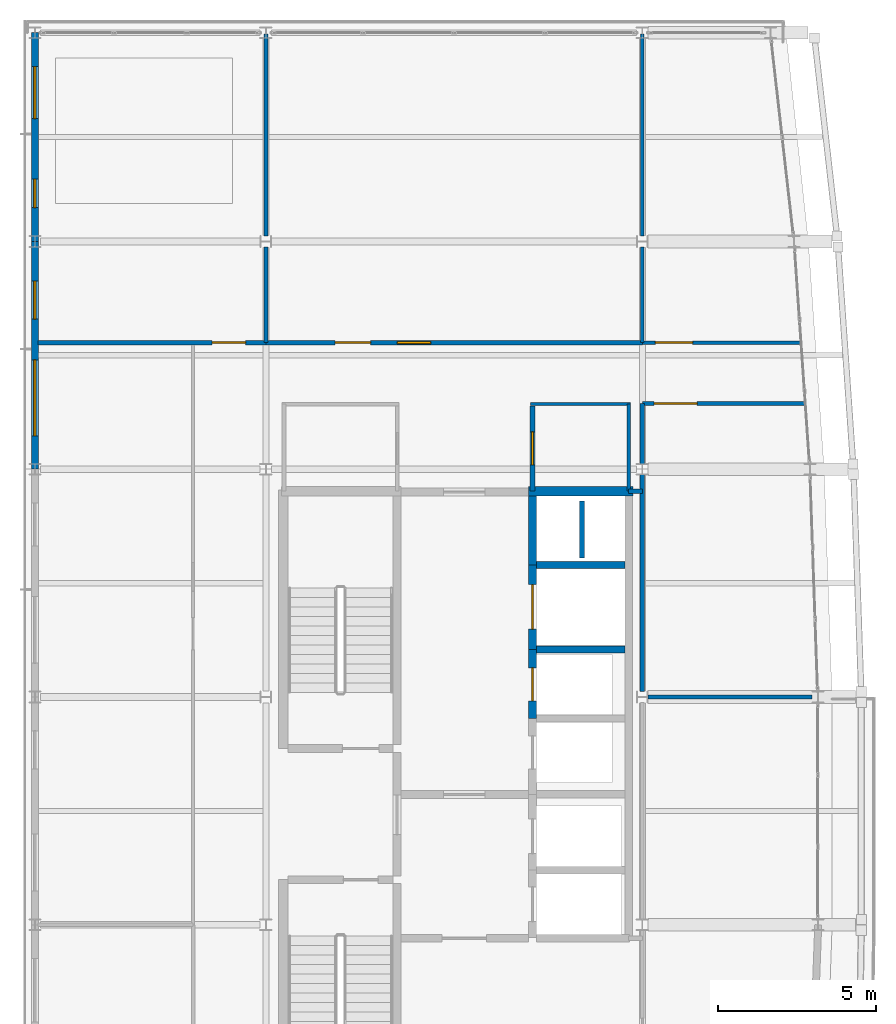
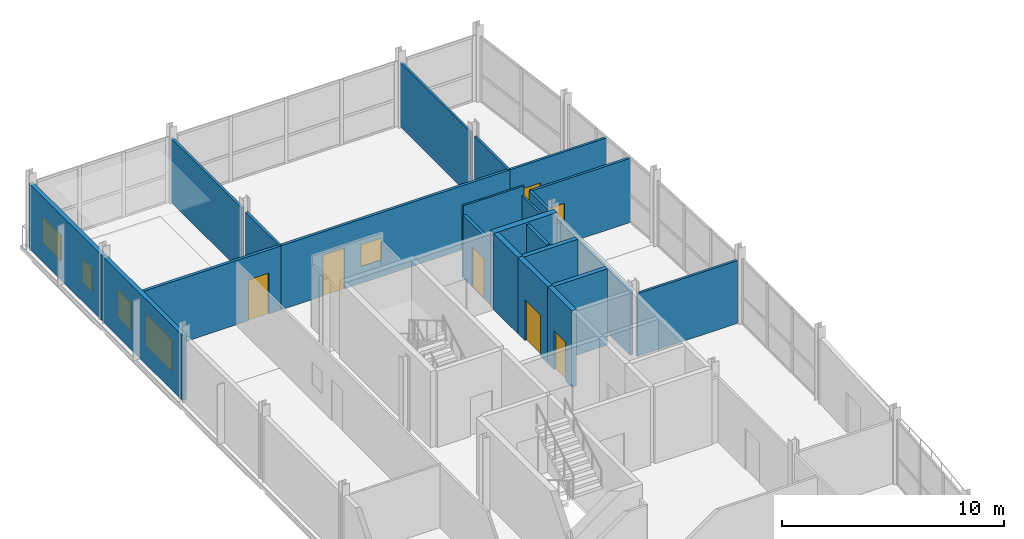
# One storey, part 13 of 17: 24 walls, 7 doors, 5 windows, 12 openings.
"""IFC4 building model written with IfcOpenShell, lengths in metres."""

from ifc_helpers import new_model, si_unit, direction, frame, frame_2d, origin, place, context, subcontext, project, spatial, rectangle, extrude, material, layer, layer_set, type_object, element, fill, save


model = new_model("IFC4")

# Units and contexts
model_context = context("Model", 3, precision=1e-05, world=origin(), true_north=direction((0.0, 1.0)))
body_context = subcontext(model_context, "Body", "Model", "MODEL_VIEW")
ifc_project = project(units=[si_unit("LENGTHUNIT", "METRE"), si_unit("AREAUNIT", "SQUARE_METRE"), si_unit("VOLUMEUNIT", "CUBIC_METRE"), si_unit("PLANEANGLEUNIT", "RADIAN"), si_unit("MASSUNIT", "GRAM", prefix="KILO")], contexts=[model_context])

# Site, building, storey
site_placement = place(None, origin())
site = spatial("IfcSite", under=ifc_project, at=site_placement, CompositionType="ELEMENT")
building_placement = place(site_placement, origin())
building = spatial("IfcBuilding", under=site, at=building_placement, Name="Quillay Park Conservatory", CompositionType="ELEMENT")
storey_placement = place(building_placement, frame((0.0, 0.0, 47.699951171875)))
storey = spatial("IfcBuildingStorey", under=building, at=storey_placement, Name="L11", CompositionType="ELEMENT", Elevation=47.699951171875)

# Walls
ifc_material_1 = material(Name="Steel-Stud Acoustic Gypsum Board Partition", Category="steel")
ifc_layer_1 = layer(ifc_material_1, 0.10009765625)
ifc_layer_set_1 = layer_set([ifc_layer_1], Name="ACOUSTIC GYPSUM PARTITION 100 (Steel-Stud Acoustic Gypsum Board Partition)")
wall_type_1 = type_object("IfcWallType", Name="ACOUSTIC GYPSUM PARTITION 100", PredefinedType="PARTITIONING", material=ifc_layer_set_1)
wall_1_placement = place(storey_placement, frame((19.3798828125, 101.659912109375, 0.0), z_axis=(0.0, 0.0, 1.0), x_axis=(-1.0, 0.0, 0.0)))
element("IfcWall", 1, at=wall_1_placement, inside=storey, type_object=wall_type_1, Name="L11 Washroom North Wall", PredefinedType="PARTITIONING", context=body_context, shape_type="SweptSolid", body=[
    extrude(rectangle(XDim=3.159912109375, YDim=0.10009765625, at=frame_2d((1.580078125, 0.0))), origin(), (0.0, 0.0, 1.0), 3.949951171875),
])
ifc_material_2 = material(Name="Steel-Stud Acoustic Gypsum Board Partition", Category="steel")
ifc_layer_2 = layer(ifc_material_2, 0.10498046875)
ifc_layer_set_2 = layer_set([ifc_layer_2], Name="ACOUSTIC GYPSUM PARTITION 105 (Steel-Stud Acoustic Gypsum Board Partition)")
wall_type_2 = type_object("IfcWallType", Name="ACOUSTIC GYPSUM PARTITION 105", PredefinedType="PARTITIONING", material=ifc_layer_set_2)
wall_2_placement = place(storey_placement, frame((19.320068359375, 98.919921875, 0.0), z_axis=(0.0, 0.0, 1.0), x_axis=(0.0, 1.0, 0.0)))
element("IfcWall", 2, at=wall_2_placement, inside=storey, type_object=wall_type_2, Name="L11 Washroom East Wall", PredefinedType="PARTITIONING", context=body_context, shape_type="SweptSolid", body=[
    extrude(rectangle(XDim=2.739990234375, YDim=0.10498046875, at=frame_2d((1.3701171875, 0.0))), origin(), (0.0, 0.0, 1.0), 3.450927734375),
])
ifc_material_3 = material(Name="Steel-Stud Acoustic Gypsum Board Partition", Category="steel")
ifc_layer_3 = layer(ifc_material_3, 0.110107421875)
ifc_layer_set_3 = layer_set([ifc_layer_3], Name="ACOUSTIC GYPSUM PARTITION 110 (Steel-Stud Acoustic Gypsum Board Partition)")
wall_type_3 = type_object("IfcWallType", Name="ACOUSTIC GYPSUM PARTITION 110", PredefinedType="PARTITIONING", material=ifc_layer_set_3)
wall_3_placement = place(storey_placement, frame((19.75, 113.35009765625, 0.0), z_axis=(0.0, 0.0, 1.0), x_axis=(0.0, -1.0, 0.0)))
element("IfcWall", 3, at=wall_3_placement, inside=storey, type_object=wall_type_3, Name="L11 North Divider 19 N", PredefinedType="PARTITIONING", context=body_context, shape_type="SweptSolid", body=[
    extrude(rectangle(XDim=6.37060546875, YDim=0.110107421875, at=frame_2d((3.185302734375, 0.0))), origin(), (0.0, 0.0, 1.0), 3.527099609375),
])
ifc_material_4 = material(Name="Steel-Stud Acoustic Gypsum Board Partition", Category="steel")
ifc_layer_4 = layer(ifc_material_4, 0.114990234375)
ifc_layer_set_4 = layer_set([ifc_layer_4], Name="ACOUSTIC GYPSUM PARTITION 115 (Steel-Stud Acoustic Gypsum Board Partition)")
wall_type_4 = type_object("IfcWallType", Name="ACOUSTIC GYPSUM PARTITION 115", PredefinedType="PARTITIONING", material=ifc_layer_set_4)
wall_4_placement = place(storey_placement, frame((19.75, 106.62060546875, 0.0), z_axis=(0.0, 0.0, 1.0), x_axis=(0.0, -1.0, 0.0)))
element("IfcWall", 4, at=wall_4_placement, inside=storey, type_object=wall_type_4, Name="L11 North Divider 19 S", PredefinedType="PARTITIONING", context=body_context, shape_type="SweptSolid", body=[
    extrude(rectangle(XDim=3.0205078125, YDim=0.114990234375, at=frame_2d((1.51025390625, 0.0))), origin(), (0.0, 0.0, 1.0), 3.527099609375),
])

# Wall, opening, door
ifc_material_5 = material(Name="Steel-Stud Acoustic Gypsum Board Partition", Category="steel")
ifc_layer_5 = layer(ifc_material_5, 0.1201171875)
ifc_layer_set_5 = layer_set([ifc_layer_5], Name="ACOUSTIC GYPSUM PARTITION 120 (Steel-Stud Acoustic Gypsum Board Partition)")
wall_type_5 = type_object("IfcWallType", Name="ACOUSTIC GYPSUM PARTITION 120", PredefinedType="PARTITIONING", material=ifc_layer_set_5)
wall_5_placement = place(storey_placement, frame((19.75, 103.60009765625, 0.0), z_axis=(0.0, 0.0, 1.0), x_axis=(1.0, 0.0, 0.0)))
wall_5 = element("IfcWall", 5, at=wall_5_placement, inside=storey, type_object=wall_type_5, Name="L11 Stable Isotope Biogeochemistry Laboratory South Wall", PredefinedType="PARTITIONING", context=body_context, shape_type="SweptSolid", body=[
    extrude(rectangle(XDim=5.0400390625, YDim=0.1201171875, at=frame_2d((2.52001953125, 0.0))), origin(), (0.0, 0.0, 1.0), 3.527099609375),
])
opening_1_placement = place(wall_5_placement, frame((0.409912109375, 0.0, 0.0)))
opening_1 = element("IfcOpeningElement", 6, at=opening_1_placement, cuts=wall_5, Name="Opening D-RM22", PredefinedType="OPENING", context=body_context, shape_type="SweptSolid", body=[
    extrude(rectangle(XDim=1.179931640625, YDim=2.25, at=frame_2d((0.58984375, 1.125))), frame((0.0, 0.06005859375, 0.0), z_axis=(0.0, -1.0, 0.0), x_axis=(1.0, 0.0, 0.0)), (0.0, 0.0, 1.0), 0.1201171875),
])
ifc_material_6 = material(Name="Thermally Broken Anodised Aluminium 6063-T6", Category="aluminium")
door_type_1 = type_object("IfcDoorType", Name="SINGLE SWING DOOR 1180 X2250", OperationType="NOTDEFINED", PredefinedType="DOOR", material=ifc_material_6)
door_1_placement = place(opening_1_placement, origin())
door_1 = element("IfcDoor", 7, at=door_1_placement, inside=storey, type_object=door_type_1, Name="L11 Door to Stable Isotope Biogeochemistry Laboratory", OperationType="SINGLE_SWING_RIGHT", OverallHeight=2.25, OverallWidth=1.179931640625, PredefinedType="DOOR", context=body_context, shape_type="SweptSolid", body=[
    extrude(rectangle(XDim=1.179931640625, YDim=2.25, at=frame_2d((0.58984375, 1.125))), frame((0.0, 0.02490234375, 0.0), z_axis=(0.0, -1.0, 0.0), x_axis=(1.0, 0.0, 0.0)), (0.0, 0.0, 1.0), 0.050048828125),
])
fill(opening_1, door_1)

# Walls
ifc_material_7 = material(Name="Steel-Stud Acoustic Gypsum Board Partition", Category="steel")
ifc_layer_6 = layer(ifc_material_7, 0.125)
ifc_layer_set_6 = layer_set([ifc_layer_6], Name="ACOUSTIC GYPSUM PARTITION 125 (Steel-Stud Acoustic Gypsum Board Partition)")
wall_type_6 = type_object("IfcWallType", Name="ACOUSTIC GYPSUM PARTITION 125", PredefinedType="PARTITIONING", material=ifc_layer_set_6)
wall_6_placement = place(storey_placement, frame((7.85009765625, 113.35009765625, 0.0), z_axis=(0.0, 0.0, 1.0), x_axis=(0.0, -1.0, 0.0)))
element("IfcWall", 8, at=wall_6_placement, inside=storey, type_object=wall_type_6, Name="L11 North Divider 7 N", PredefinedType="PARTITIONING", context=body_context, shape_type="SweptSolid", body=[
    extrude(rectangle(XDim=6.37060546875, YDim=0.125, at=frame_2d((3.185302734375, 0.0))), origin(), (0.0, 0.0, 1.0), 3.527099609375),
])
wall_7_placement = place(storey_placement, frame((25.12060546875, 92.39990234375, 0.0), z_axis=(0.0, 0.0, 1.0), x_axis=(-1.0, 0.0, 0.0)))
element("IfcWall", 9, at=wall_7_placement, inside=storey, type_object=wall_type_6, Name="L11 East Divider 92", PredefinedType="PARTITIONING", context=body_context, shape_type="SweptSolid", body=[
    extrude(rectangle(XDim=5.197509765625, YDim=0.125, at=frame_2d((2.5986328125, 0.0))), origin(), (0.0, 0.0, 1.0), 3.450927734375),
])
ifc_material_8 = material(Name="Steel-Stud Acoustic Gypsum Board Partition", Category="steel")
ifc_layer_7 = layer(ifc_material_8, 0.1298828125)
ifc_layer_set_7 = layer_set([ifc_layer_7], Name="ACOUSTIC GYPSUM PARTITION 130 (Steel-Stud Acoustic Gypsum Board Partition)")
wall_type_7 = type_object("IfcWallType", Name="ACOUSTIC GYPSUM PARTITION 130", PredefinedType="PARTITIONING", material=ifc_layer_set_7)
wall_8_placement = place(storey_placement, frame((7.85009765625, 106.62060546875, 0.0), z_axis=(0.0, 0.0, 1.0), x_axis=(0.0, -1.0, 0.0)))
element("IfcWall", 10, at=wall_8_placement, inside=storey, type_object=wall_type_7, Name="L11 North Divider 7 S", PredefinedType="PARTITIONING", context=body_context, shape_type="SweptSolid", body=[
    extrude(rectangle(XDim=3.0205078125, YDim=0.1298828125, at=frame_2d((1.51025390625, 0.0))), origin(), (0.0, 0.0, 1.0), 3.527099609375),
])

# Wall, opening, door
wall_9_placement = place(storey_placement, frame((19.75, 101.679931640625, 0.0), z_axis=(0.0, 0.0, 1.0), x_axis=(1.0, 0.0, 0.0)))
wall_9 = element("IfcWall", 11, at=wall_9_placement, inside=storey, type_object=wall_type_7, Name="L11 Pollination Ecology Curatorial Studio North Door Wall", PredefinedType="PARTITIONING", context=body_context, shape_type="SweptSolid", body=[
    extrude(rectangle(XDim=5.1650390625, YDim=0.1298828125, at=frame_2d((2.58251953125, 0.0))), origin(), (0.0, 0.0, 1.0), 3.527099609375),
])
opening_2_placement = place(wall_9_placement, frame((0.3701171875, 0.0, 0.0)))
opening_2 = element("IfcOpeningElement", 12, at=opening_2_placement, cuts=wall_9, Name="Opening D-RM24", PredefinedType="OPENING", context=body_context, shape_type="SweptSolid", body=[
    extrude(rectangle(XDim=1.360107421875, YDim=2.25, at=frame_2d((0.68017578125, 1.125))), frame((0.0, 0.06494140625, 0.0), z_axis=(0.0, -1.0, 0.0), x_axis=(1.0, 0.0, 0.0)), (0.0, 0.0, 1.0), 0.1298828125),
])
ifc_material_9 = material(Name="Thermally Broken Anodised Aluminium 6063-T6", Category="aluminium")
door_type_2 = type_object("IfcDoorType", Name="SINGLE SWING DOOR 1360 X2250", OperationType="NOTDEFINED", PredefinedType="DOOR", material=ifc_material_9)
door_2_placement = place(opening_2_placement, origin())
door_2 = element("IfcDoor", 13, at=door_2_placement, inside=storey, type_object=door_type_2, Name="L11 Door to Pollination Ecology Curatorial Studio", OperationType="SINGLE_SWING_RIGHT", OverallHeight=2.25, OverallWidth=1.360107421875, PredefinedType="DOOR", context=body_context, shape_type="SweptSolid", body=[
    extrude(rectangle(XDim=1.360107421875, YDim=2.25, at=frame_2d((0.68017578125, 1.125))), frame((0.0, 0.02490234375, 0.0), z_axis=(0.0, -1.0, 0.0), x_axis=(1.0, 0.0, 0.0)), (0.0, 0.0, 1.0), 0.050048828125),
])
fill(opening_2, door_2)

# Wall
ifc_material_10 = material(Name="Steel-Stud Acoustic Gypsum Board Partition", Category="steel")
ifc_layer_8 = layer(ifc_material_10, 0.139892578125)
ifc_layer_set_8 = layer_set([ifc_layer_8], Name="ACOUSTIC GYPSUM PARTITION 140 (Steel-Stud Acoustic Gypsum Board Partition)")
wall_type_8 = type_object("IfcWallType", Name="ACOUSTIC GYPSUM PARTITION 140", PredefinedType="PARTITIONING", material=ifc_layer_set_8)
wall_10_placement = place(storey_placement, frame((19.75, 98.89990234375, 0.0), z_axis=(0.0, 0.0, 1.0), x_axis=(-1.0, 0.0, 0.0)))
element("IfcWall", 14, at=wall_10_placement, inside=storey, type_object=wall_type_8, Name="L11 Core North-East Closure", PredefinedType="PARTITIONING", context=body_context, shape_type="SweptSolid", body=[
    extrude(rectangle(XDim=0.429931640625, YDim=0.139892578125, at=frame_2d((0.21484375, 0.0))), origin(), (0.0, 0.0, 1.0), 3.527099609375),
])

# Wall, openings, window, door
wall_11_placement = place(storey_placement, frame((7.85009765625, 103.60009765625, 0.0), z_axis=(0.0, 0.0, 1.0), x_axis=(1.0, 0.0, 0.0)))
wall_11 = element("IfcWall", 15, at=wall_11_placement, inside=storey, type_object=wall_type_8, Name="L11 Mediterranean Drought Ecology Research Laboratory South Wall", PredefinedType="PARTITIONING", context=body_context, shape_type="SweptSolid", body=[
    extrude(rectangle(XDim=11.89990234375, YDim=0.139892578125, at=frame_2d((5.949951171875, 0.0))), origin(), (0.0, 0.0, 1.0), 3.527099609375),
])
opening_3_placement = place(wall_11_placement, frame((2.18994140625, 0.0, 0.0)))
opening_3 = element("IfcOpeningElement", 16, at=opening_3_placement, cuts=wall_11, Name="Opening D-RM21", PredefinedType="OPENING", context=body_context, shape_type="SweptSolid", body=[
    extrude(rectangle(XDim=1.1201171875, YDim=2.25, at=frame_2d((0.56005859375, 1.125))), frame((0.0, 0.06982421875, 0.0), z_axis=(0.0, -1.0, 0.0), x_axis=(1.0, 0.0, 0.0)), (0.0, 0.0, 1.0), 0.139892578125),
])
opening_4_placement = place(wall_11_placement, frame((4.159912109375, 0.0, 0.919921875)))
opening_4 = element("IfcOpeningElement", 17, at=opening_4_placement, cuts=wall_11, Name="Opening W-IN06", PredefinedType="OPENING", context=body_context, shape_type="SweptSolid", body=[
    extrude(rectangle(XDim=1.050048828125, YDim=1.199951171875, at=frame_2d((0.52490234375, 0.60009765625))), frame((0.0, 0.06982421875, 0.0), z_axis=(0.0, -1.0, 0.0), x_axis=(1.0, 0.0, 0.0)), (0.0, 0.0, 1.0), 0.139892578125),
])
ifc_material_11 = material(Name="Low-E Double Glazing (Laminated Tempered)", Category="glass")
window_type_1 = type_object("IfcWindowType", Name="OPERABLE VENT WINDOW 1050 X1200", PartitioningType="SINGLE_PANEL", PredefinedType="WINDOW", material=ifc_material_11)
window_1_placement = place(opening_4_placement, origin())
window_1 = element("IfcWindow", 18, at=window_1_placement, inside=storey, type_object=window_type_1, Name="L11 Laboratory Vision Panel 042", OverallHeight=1.199951171875, OverallWidth=1.050048828125, PartitioningType="SINGLE_PANEL", PredefinedType="WINDOW", context=body_context, shape_type="SweptSolid", body=[
    extrude(rectangle(XDim=1.050048828125, YDim=1.199951171875, at=frame_2d((0.52490234375, 0.60009765625))), frame((0.0, 0.030029296875, 0.0), z_axis=(0.0, -1.0, 0.0), x_axis=(1.0, 0.0, 0.0)), (0.0, 0.0, 1.0), 0.06005859375),
])
fill(opening_4, window_1)
ifc_material_12 = material(Name="Thermally Broken Anodised Aluminium 6063-T6", Category="aluminium")
door_type_3 = type_object("IfcDoorType", Name="SINGLE SWING DOOR 1120 X2250", OperationType="NOTDEFINED", PredefinedType="DOOR", material=ifc_material_12)
door_3_placement = place(opening_3_placement, origin())
door_3 = element("IfcDoor", 19, at=door_3_placement, inside=storey, type_object=door_type_3, Name="L11 Door to Mediterranean Drought Ecology Research Laboratory", OperationType="SINGLE_SWING_LEFT", OverallHeight=2.25, OverallWidth=1.1201171875, PredefinedType="DOOR", context=body_context, shape_type="SweptSolid", body=[
    extrude(rectangle(XDim=1.1201171875, YDim=2.25, at=frame_2d((0.56005859375, 1.125))), frame((0.0, 0.02490234375, 0.0), z_axis=(0.0, -1.0, 0.0), x_axis=(1.0, 0.0, 0.0)), (0.0, 0.0, 1.0), 0.050048828125),
])
fill(opening_3, door_3)

# Wall
wall_12_placement = place(storey_placement, frame((19.75, 99.77294921875, 0.0), z_axis=(0.0, 0.0, 1.0), x_axis=(0.0, 1.0, 0.0)))
element("IfcWall", 20, at=wall_12_placement, inside=storey, type_object=wall_type_8, Name="L11 Pollination Ecology Curatorial Studio West Wall 2", PredefinedType="PARTITIONING", context=body_context, shape_type="SweptSolid", body=[
    extrude(rectangle(XDim=1.906982421875, YDim=0.139892578125, at=frame_2d((0.95361328125, 0.0))), origin(), (0.0, 0.0, 1.0), 3.527099609375),
])

# Wall, opening, door
ifc_material_13 = material(Name="Steel-Stud Acoustic Gypsum Board Partition", Category="steel")
ifc_layer_9 = layer(ifc_material_13, 0.14990234375)
ifc_layer_set_9 = layer_set([ifc_layer_9], Name="ACOUSTIC GYPSUM PARTITION 150 (Steel-Stud Acoustic Gypsum Board Partition)")
wall_type_9 = type_object("IfcWallType", Name="ACOUSTIC GYPSUM PARTITION 150", PredefinedType="PARTITIONING", material=ifc_layer_set_9)
wall_13_placement = place(storey_placement, frame((16.280029296875, 98.919921875, 0.0), z_axis=(0.0, 0.0, 1.0), x_axis=(0.0, 1.0, 0.0)))
wall_13 = element("IfcWall", 21, at=wall_13_placement, inside=storey, type_object=wall_type_9, Name="L11 Washroom Door Wall", PredefinedType="PARTITIONING", context=body_context, shape_type="SweptSolid", body=[
    extrude(rectangle(XDim=2.68017578125, YDim=0.14990234375, at=frame_2d((1.340087890625, 0.0))), origin(), (0.0, 0.0, 1.0), 3.450927734375),
])
opening_5_placement = place(wall_13_placement, frame((0.81494140625, 0.0, 0.0)))
opening_5 = element("IfcOpeningElement", 22, at=opening_5_placement, cuts=wall_13, Name="Opening D-RM15", PredefinedType="OPENING", context=body_context, shape_type="SweptSolid", body=[
    extrude(rectangle(XDim=1.050048828125, YDim=2.199951171875, at=frame_2d((0.52490234375, 1.10009765625))), frame((0.0, 0.074951171875, 0.0), z_axis=(0.0, -1.0, 0.0), x_axis=(1.0, 0.0, 0.0)), (0.0, 0.0, 1.0), 0.14990234375),
])
ifc_material_14 = material(Name="Thermally Broken Anodised Aluminium 6063-T6", Category="aluminium")
door_type_4 = type_object("IfcDoorType", Name="SINGLE SWING DOOR 1050 X2200", OperationType="NOTDEFINED", PredefinedType="DOOR", material=ifc_material_14)
door_4_placement = place(opening_5_placement, origin())
door_4 = element("IfcDoor", 23, at=door_4_placement, inside=storey, type_object=door_type_4, Name="L11 Door to L11 Restroom and Washroom", OperationType="SINGLE_SWING_RIGHT", OverallHeight=2.199951171875, OverallWidth=1.050048828125, PredefinedType="DOOR", context=body_context, shape_type="SweptSolid", body=[
    extrude(rectangle(XDim=1.050048828125, YDim=2.199951171875, at=frame_2d((0.52490234375, 1.10009765625))), frame((0.0, 0.02490234375, 0.0), z_axis=(0.0, -1.0, 0.0), x_axis=(1.0, 0.0, 0.0)), (0.0, 0.0, 1.0), 0.050048828125),
])
fill(opening_5, door_4)

wall_14_placement = place(storey_placement, frame((0.64990234375, 103.60009765625, 0.0), z_axis=(0.0, 0.0, 1.0), x_axis=(1.0, 0.0, 0.0)))
wall_14 = element("IfcWall", 24, at=wall_14_placement, inside=storey, type_object=wall_type_9, Name="L11 Xeric Stomatal Conductance Laboratory South Wall", PredefinedType="PARTITIONING", context=body_context, shape_type="SweptSolid", body=[
    extrude(rectangle(XDim=7.2001953125, YDim=0.14990234375, at=frame_2d((3.60009765625, 0.0))), origin(), (0.0, 0.0, 1.0), 3.527099609375),
])
opening_6_placement = place(wall_14_placement, frame((5.5, 0.0, 0.0)))
opening_6 = element("IfcOpeningElement", 25, at=opening_6_placement, cuts=wall_14, Name="Opening D-RM20", PredefinedType="OPENING", context=body_context, shape_type="SweptSolid", body=[
    extrude(rectangle(XDim=1.06005859375, YDim=2.25, at=frame_2d((0.530029296875, 1.125))), frame((0.0, 0.074951171875, 0.0), z_axis=(0.0, -1.0, 0.0), x_axis=(1.0, 0.0, 0.0)), (0.0, 0.0, 1.0), 0.14990234375),
])
ifc_material_15 = material(Name="Thermally Broken Anodised Aluminium 6063-T6", Category="aluminium")
door_type_5 = type_object("IfcDoorType", Name="SINGLE SWING DOOR 1060 X2250", OperationType="NOTDEFINED", PredefinedType="DOOR", material=ifc_material_15)
door_5_placement = place(opening_6_placement, origin())
door_5 = element("IfcDoor", 26, at=door_5_placement, inside=storey, type_object=door_type_5, Name="L11 Door to Xeric Stomatal Conductance Laboratory", OperationType="SINGLE_SWING_RIGHT", OverallHeight=2.25, OverallWidth=1.06005859375, PredefinedType="DOOR", context=body_context, shape_type="SweptSolid", body=[
    extrude(rectangle(XDim=1.06005859375, YDim=2.25, at=frame_2d((0.530029296875, 1.125))), frame((0.0, 0.02490234375, 0.0), z_axis=(0.0, -1.0, 0.0), x_axis=(1.0, 0.0, 0.0)), (0.0, 0.0, 1.0), 0.050048828125),
])
fill(opening_6, door_5)

# Walls
wall_15_placement = place(storey_placement, frame((19.75, 92.57958984375, 0.0), z_axis=(0.0, 0.0, 1.0), x_axis=(0.0, 1.0, 0.0)))
element("IfcWall", 27, at=wall_15_placement, inside=storey, type_object=wall_type_9, Name="L11 Pollination Ecology Curatorial Studio West Wall 1", PredefinedType="PARTITIONING", context=body_context, shape_type="SweptSolid", body=[
    extrude(rectangle(XDim=6.847412109375, YDim=0.14990234375, at=frame_2d((3.423828125, 0.0))), origin(), (0.0, 0.0, 1.0), 3.527099609375),
])
ifc_material_16 = material(Name="Concrete C35/45 (NCh170 Concrete C35/45)", Category="concrete")
ifc_layer_10 = layer(ifc_material_16, 0.22509765625)
ifc_layer_set_10 = layer_set([ifc_layer_10], Name="CORE SHEAR WALL 225 (Concrete C35/45 (NCh170 Concrete C35/45))")
wall_type_10 = type_object("IfcWallType", Name="CORE SHEAR WALL 225", PredefinedType="SHEAR", material=ifc_layer_set_10)
for number, where, z_axis, x_axis, name in (
    (28, (16.39990234375, 93.89990234375, 0.0), (0.0, 0.0, 1.0), (1.0, 0.0, 0.0), "L11 Core Shear Wall WL-LFDIV-L11-939"),
    (29, (16.39990234375, 96.574951171875, 0.0), (0.0, 0.0, 1.0), (1.0, 0.0, 0.0), "L11 Core Shear Wall WL-LFDIV-L11-965"),
):
    element("IfcWall", number, at=place(storey_placement, frame(where, z_axis=z_axis, x_axis=x_axis)), inside=storey, type_object=wall_type_10, Name=name, PredefinedType="SHEAR", context=body_context, shape_type="SweptSolid", body=[
        extrude(rectangle(XDim=2.800048828125, YDim=0.22509765625, at=frame_2d((1.39990234375, 0.0))), origin(), (0.0, 0.0, 1.0), 4.199951171875),
    ])

# Wall, opening, door
ifc_material_17 = material(Name="Concrete C40/50 (NCh170 Concrete C40/50)", Category="concrete")
ifc_layer_11 = layer(ifc_material_17, 0.25)
ifc_layer_set_11 = layer_set([ifc_layer_11], Name="CORE SHEAR WALL 250 (Concrete C40/50 (NCh170 Concrete C40/50))")
wall_type_11 = type_object("IfcWallType", Name="CORE SHEAR WALL 250", PredefinedType="SHEAR", material=ifc_layer_set_11)
wall_16_placement = place(storey_placement, frame((16.27490234375, 91.72509765625, 0.0), z_axis=(0.0, 0.0, 1.0), x_axis=(0.0, 1.0, 0.0)))
wall_16 = element("IfcWall", 30, at=wall_16_placement, inside=storey, type_object=wall_type_11, Name="L11 Core Shear Wall WL-LFFR-L11-LF-P2", PredefinedType="SHEAR", context=body_context, shape_type="SweptSolid", body=[
    extrude(rectangle(XDim=2.1748046875, YDim=0.25, at=frame_2d((1.08740234375, 0.0))), origin(), (0.0, 0.0, 1.0), 4.199951171875),
])
opening_7_placement = place(wall_16_placement, frame((0.550048828125, 0.0, 0.0)))
opening_7 = element("IfcOpeningElement", 31, at=opening_7_placement, cuts=wall_16, Name="Opening LD02", PredefinedType="OPENING", context=body_context, shape_type="SweptSolid", body=[
    extrude(rectangle(XDim=1.050048828125, YDim=2.14990234375, at=frame_2d((0.52490234375, 1.074951171875))), frame((0.0, 0.125, 0.0), z_axis=(0.0, -1.0, 0.0), x_axis=(1.0, 0.0, 0.0)), (0.0, 0.0, 1.0), 0.25),
])
ifc_material_18 = material(Name="Steel ASTM A572 Grade 50", Category="steel")
door_type_6 = type_object("IfcDoorType", Name="LIFT LANDING SLIDING DOOR 1050 X2150", OperationType="NOTDEFINED", PredefinedType="DOOR", material=ifc_material_18)
door_6_placement = place(opening_7_placement, origin())
door_6 = element("IfcDoor", 32, at=door_6_placement, inside=storey, type_object=door_type_6, Name="L11 LF-P2 Lift Landing Door LD02", OperationType="SLIDING_TO_LEFT", OverallHeight=2.14990234375, OverallWidth=1.050048828125, PredefinedType="DOOR", context=body_context, shape_type="SweptSolid", body=[
    extrude(rectangle(XDim=1.050048828125, YDim=2.14990234375, at=frame_2d((0.52490234375, 1.074951171875))), frame((0.0, 0.02490234375, 0.0), z_axis=(0.0, -1.0, 0.0), x_axis=(1.0, 0.0, 0.0)), (0.0, 0.0, 1.0), 0.050048828125),
])
fill(opening_7, door_6)

wall_17_placement = place(storey_placement, frame((16.27490234375, 93.89990234375, 0.0), z_axis=(0.0, 0.0, 1.0), x_axis=(0.0, 1.0, 0.0)))
wall_17 = element("IfcWall", 33, at=wall_17_placement, inside=storey, type_object=wall_type_11, Name="L11 Core Shear Wall WL-LFFR-L11-LF-G1", PredefinedType="SHEAR", context=body_context, shape_type="SweptSolid", body=[
    extrude(rectangle(XDim=2.675048828125, YDim=0.25, at=frame_2d((1.33740234375, 0.0))), origin(), (0.0, 0.0, 1.0), 4.199951171875),
])
opening_8_placement = place(wall_17_placement, frame((0.64990234375, 0.0, 0.0)))
opening_8 = element("IfcOpeningElement", 34, at=opening_8_placement, cuts=wall_17, Name="Opening LD03", PredefinedType="OPENING", context=body_context, shape_type="SweptSolid", body=[
    extrude(rectangle(XDim=1.39990234375, YDim=2.25, at=frame_2d((0.699951171875, 1.125))), frame((0.0, 0.125, 0.0), z_axis=(0.0, -1.0, 0.0), x_axis=(1.0, 0.0, 0.0)), (0.0, 0.0, 1.0), 0.25),
])
ifc_material_19 = material(Name="Steel ASTM A572 Grade 50", Category="steel")
door_type_7 = type_object("IfcDoorType", Name="LIFT LANDING SLIDING DOOR 1400 X2250", OperationType="NOTDEFINED", PredefinedType="DOOR", material=ifc_material_19)
door_7_placement = place(opening_8_placement, origin())
door_7 = element("IfcDoor", 35, at=door_7_placement, inside=storey, type_object=door_type_7, Name="L11 LF-G1 Lift Landing Door LD03", OperationType="SLIDING_TO_LEFT", OverallHeight=2.25, OverallWidth=1.39990234375, PredefinedType="DOOR", context=body_context, shape_type="SweptSolid", body=[
    extrude(rectangle(XDim=1.39990234375, YDim=2.25, at=frame_2d((0.699951171875, 1.125))), frame((0.0, 0.02490234375, 0.0), z_axis=(0.0, -1.0, 0.0), x_axis=(1.0, 0.0, 0.0)), (0.0, 0.0, 1.0), 0.050048828125),
])
fill(opening_8, door_7)

# Walls
wall_18_placement = place(storey_placement, frame((16.27490234375, 96.574951171875, 0.0), z_axis=(0.0, 0.0, 1.0), x_axis=(0.0, 1.0, 0.0)))
element("IfcWall", 36, at=wall_18_placement, inside=storey, type_object=wall_type_11, Name="L11 Core Shear Wall WL-MEPR-L11", PredefinedType="SHEAR", context=body_context, shape_type="SweptSolid", body=[
    extrude(rectangle(XDim=2.175048828125, YDim=0.25, at=frame_2d((1.08740234375, 0.0))), origin(), (0.0, 0.0, 1.0), 4.199951171875),
])
ifc_material_20 = material(Name="Concrete C40/50 (NCh170 Concrete C40/50)", Category="concrete")
ifc_layer_12 = layer(ifc_material_20, 0.300048828125)
ifc_layer_set_12 = layer_set([ifc_layer_12], Name="CORE SHEAR WALL 300 (Concrete C40/50 (NCh170 Concrete C40/50))")
wall_type_12 = type_object("IfcWallType", Name="CORE SHEAR WALL 300", PredefinedType="SHEAR", material=ifc_layer_set_12)
wall_19_placement = place(storey_placement, frame((16.14990234375, 98.89990234375, 0.0), z_axis=(0.0, 0.0, 1.0), x_axis=(1.0, 0.0, 0.0)))
element("IfcWall", 37, at=wall_19_placement, inside=storey, type_object=wall_type_12, Name="L11 Core Shear Wall WL-TCN-E-L11", PredefinedType="SHEAR", context=body_context, shape_type="SweptSolid", body=[
    extrude(rectangle(XDim=3.300048828125, YDim=0.300048828125, at=frame_2d((1.64990234375, 0.0))), origin(), (0.0, 0.0, 1.0), 4.199951171875),
])

# Wall, openings, windows
ifc_material_21 = material(Name="Glass-Fibre Reinforced Concrete (GRC) Cladding", Category="concrete")
ifc_layer_13 = layer(ifc_material_21, 0.219970703125)
ifc_layer_set_13 = layer_set([ifc_layer_13], Name="EXTERIOR SOLID WALL 220 (Glass-Fibre Reinforced Concrete (GRC) Cladding)")
wall_type_13 = type_object("IfcWallType", Name="EXTERIOR SOLID WALL 220", PredefinedType="SOLIDWALL", material=ifc_layer_set_13)
wall_20_placement = place(storey_placement, frame((0.550048828125, 99.60009765625, 0.0), z_axis=(0.0, 0.0, 1.0), x_axis=(0.0, 1.0, 0.0)))
wall_20 = element("IfcWall", 38, at=wall_20_placement, inside=storey, type_object=wall_type_13, Name="L11 External Wall WL-EXT-V4W-L11-4", PredefinedType="SOLIDWALL", context=body_context, shape_type="SweptSolid", body=[
    extrude(rectangle(XDim=7.199951171875, YDim=0.219970703125, at=frame_2d((3.60009765625, 0.0))), origin(), (0.0, 0.0, 1.0), 3.5771484375),
])
opening_9_placement = place(wall_20_placement, frame((1.054931640625, 0.0, 0.919921875)))
opening_9 = element("IfcOpeningElement", 39, at=opening_9_placement, cuts=wall_20, Name="Opening W-16", PredefinedType="OPENING", context=body_context, shape_type="SweptSolid", body=[
    extrude(rectangle(XDim=2.39990234375, YDim=1.699951171875, at=frame_2d((1.199951171875, 0.85009765625))), frame((0.0, 0.10986328125, 0.0), z_axis=(0.0, -1.0, 0.0), x_axis=(1.0, 0.0, 0.0)), (0.0, 0.0, 1.0), 0.219970703125),
])
opening_10_placement = place(wall_20_placement, frame((4.7451171875, 0.0, 0.919921875)))
opening_10 = element("IfcOpeningElement", 40, at=opening_10_placement, cuts=wall_20, Name="Opening W-07", PredefinedType="OPENING", context=body_context, shape_type="SweptSolid", body=[
    extrude(rectangle(XDim=1.199951171875, YDim=1.550048828125, at=frame_2d((0.60009765625, 0.77490234375))), frame((0.0, 0.10986328125, 0.0), z_axis=(0.0, -1.0, 0.0), x_axis=(1.0, 0.0, 0.0)), (0.0, 0.0, 1.0), 0.219970703125),
])
ifc_material_22 = material(Name="Low-E Double Glazing (Laminated Tempered)", Category="glass")
window_type_2 = type_object("IfcWindowType", Name="FIXED CASEMENT WINDOW 1200 X1550", PartitioningType="SINGLE_PANEL", PredefinedType="WINDOW", material=ifc_material_22)
window_2_placement = place(opening_10_placement, origin())
window_2 = element("IfcWindow", 41, at=window_2_placement, inside=storey, type_object=window_type_2, Name="L11 Exterior Window 0262", OverallHeight=1.550048828125, OverallWidth=1.199951171875, PartitioningType="SINGLE_PANEL", PredefinedType="WINDOW", context=body_context, shape_type="SweptSolid", body=[
    extrude(rectangle(XDim=1.199951171875, YDim=1.550048828125, at=frame_2d((0.60009765625, 0.77490234375))), frame((0.0, 0.030029296875, 0.0), z_axis=(0.0, -1.0, 0.0), x_axis=(1.0, 0.0, 0.0)), (0.0, 0.0, 1.0), 0.06005859375),
])
fill(opening_10, window_2)
ifc_material_23 = material(Name="Low-E Double Glazing (Laminated Tempered)", Category="glass")
window_type_3 = type_object("IfcWindowType", Name="FIXED CASEMENT WINDOW 2400 X1700", PartitioningType="DOUBLE_PANEL_VERTICAL", PredefinedType="WINDOW", material=ifc_material_23)
window_3_placement = place(opening_9_placement, origin())
window_3 = element("IfcWindow", 42, at=window_3_placement, inside=storey, type_object=window_type_3, Name="L11 Exterior Window 0261", OverallHeight=1.699951171875, OverallWidth=2.39990234375, PartitioningType="DOUBLE_PANEL_VERTICAL", PredefinedType="WINDOW", context=body_context, shape_type="SweptSolid", body=[
    extrude(rectangle(XDim=2.39990234375, YDim=1.699951171875, at=frame_2d((1.199951171875, 0.85009765625))), frame((0.0, 0.030029296875, 0.0), z_axis=(0.0, -1.0, 0.0), x_axis=(1.0, 0.0, 0.0)), (0.0, 0.0, 1.0), 0.06005859375),
])
fill(opening_9, window_3)

wall_21_placement = place(storey_placement, frame((0.550048828125, 106.800048828125, 0.0), z_axis=(0.0, 0.0, 1.0), x_axis=(0.0, 1.0, 0.0)))
wall_21 = element("IfcWall", 43, at=wall_21_placement, inside=storey, type_object=wall_type_13, Name="L11 External Wall WL-EXT-V4W-L11-5", PredefinedType="SOLIDWALL", context=body_context, shape_type="SweptSolid", body=[
    extrude(rectangle(XDim=6.599853515625, YDim=0.219970703125, at=frame_2d((3.2998046875, 0.0))), origin(), (0.0, 0.0, 1.0), 3.5771484375),
])
opening_11_placement = place(wall_21_placement, frame((1.070068359375, 0.0, 0.919921875)))
opening_11 = element("IfcOpeningElement", 44, at=opening_11_placement, cuts=wall_21, Name="Opening W-17", PredefinedType="OPENING", context=body_context, shape_type="SweptSolid", body=[
    extrude(rectangle(XDim=0.89990234375, YDim=1.300048828125, at=frame_2d((0.449951171875, 0.64990234375))), frame((0.0, 0.10986328125, 0.0), z_axis=(0.0, -1.0, 0.0), x_axis=(1.0, 0.0, 0.0)), (0.0, 0.0, 1.0), 0.219970703125),
])
opening_12_placement = place(wall_21_placement, frame((3.8798828125, 0.0, 0.919921875)))
opening_12 = element("IfcOpeningElement", 45, at=opening_12_placement, cuts=wall_21, Name="Opening W-04", PredefinedType="OPENING", context=body_context, shape_type="SweptSolid", body=[
    extrude(rectangle(XDim=1.64990234375, YDim=1.39990234375, at=frame_2d((0.824951171875, 0.699951171875))), frame((0.0, 0.10986328125, 0.0), z_axis=(0.0, -1.0, 0.0), x_axis=(1.0, 0.0, 0.0)), (0.0, 0.0, 1.0), 0.219970703125),
])
ifc_material_24 = material(Name="Low-E Double Glazing (Laminated Tempered)", Category="glass")
window_type_4 = type_object("IfcWindowType", Name="FIXED CASEMENT WINDOW 1650 X1400", PartitioningType="DOUBLE_PANEL_VERTICAL", PredefinedType="WINDOW", material=ifc_material_24)
window_4_placement = place(opening_12_placement, origin())
window_4 = element("IfcWindow", 46, at=window_4_placement, inside=storey, type_object=window_type_4, Name="L11 Exterior Window 0264", OverallHeight=1.39990234375, OverallWidth=1.64990234375, PartitioningType="DOUBLE_PANEL_VERTICAL", PredefinedType="WINDOW", context=body_context, shape_type="SweptSolid", body=[
    extrude(rectangle(XDim=1.64990234375, YDim=1.39990234375, at=frame_2d((0.824951171875, 0.699951171875))), frame((0.0, 0.030029296875, 0.0), z_axis=(0.0, -1.0, 0.0), x_axis=(1.0, 0.0, 0.0)), (0.0, 0.0, 1.0), 0.06005859375),
])
fill(opening_12, window_4)
ifc_material_25 = material(Name="Low-E Double Glazing (Laminated Tempered)", Category="glass")
window_type_5 = type_object("IfcWindowType", Name="FIXED CASEMENT WINDOW 900 X1300", PartitioningType="SINGLE_PANEL", PredefinedType="WINDOW", material=ifc_material_25)
window_5_placement = place(opening_11_placement, origin())
window_5 = element("IfcWindow", 47, at=window_5_placement, inside=storey, type_object=window_type_5, Name="L11 Exterior Window 0263", OverallHeight=1.300048828125, OverallWidth=0.89990234375, PartitioningType="SINGLE_PANEL", PredefinedType="WINDOW", context=body_context, shape_type="SweptSolid", body=[
    extrude(rectangle(XDim=0.89990234375, YDim=1.300048828125, at=frame_2d((0.449951171875, 0.64990234375))), frame((0.0, 0.030029296875, 0.0), z_axis=(0.0, -1.0, 0.0), x_axis=(1.0, 0.0, 0.0)), (0.0, 0.0, 1.0), 0.06005859375),
])
fill(opening_11, window_5)

# Wall
ifc_material_26 = material(Name="Steel-Stud Acoustic Gypsum Board Partition", Category="steel")
ifc_layer_14 = layer(ifc_material_26, 0.155029296875)
ifc_layer_set_14 = layer_set([ifc_layer_14], Name="PLUMBING SHAFT WALL 155 (Steel-Stud Acoustic Gypsum Board Partition)")
wall_type_14 = type_object("IfcWallType", Name="PLUMBING SHAFT WALL 155", PredefinedType="PLUMBINGWALL", material=ifc_layer_set_14)
wall_22_placement = place(storey_placement, frame((17.85009765625, 96.800048828125, 0.0), z_axis=(0.0, 0.0, 1.0), x_axis=(0.0, 1.0, 0.0)))
element("IfcWall", 48, at=wall_22_placement, inside=storey, type_object=wall_type_14, Name="L11 Plumbing Riser Wall", PredefinedType="PLUMBINGWALL", context=body_context, shape_type="SweptSolid", body=[
    extrude(rectangle(XDim=1.800048828125, YDim=0.155029296875, at=frame_2d((0.89990234375, 0.0))), origin(), (0.0, 0.0, 1.0), 4.199951171875),
])

save(model, "model.ifc")
